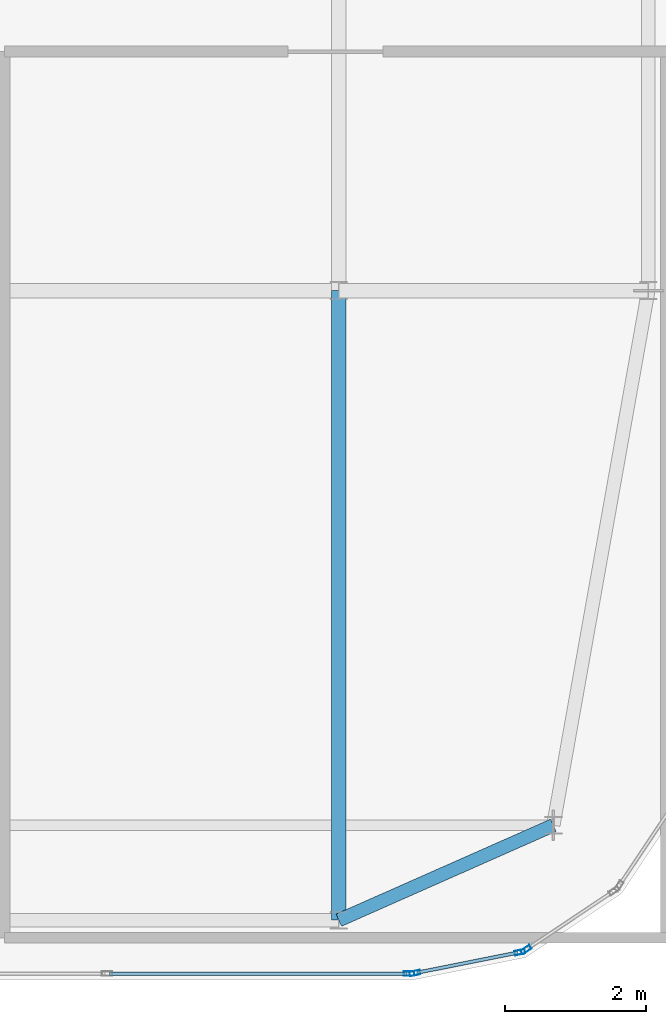
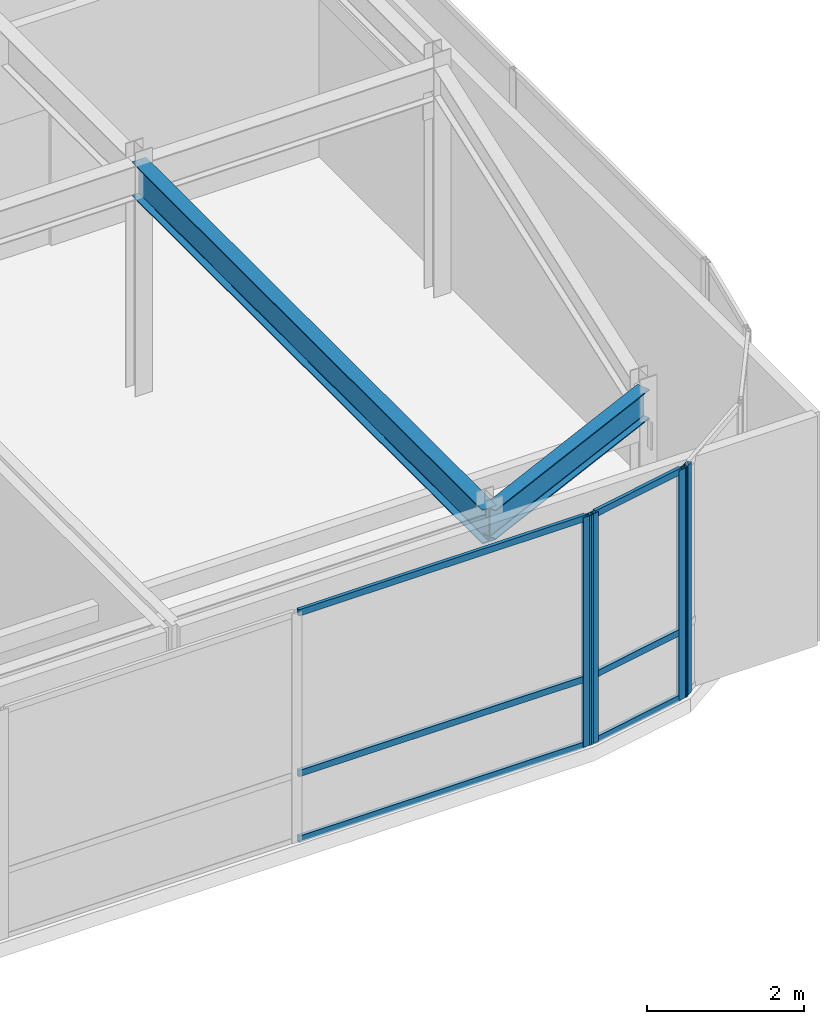
# One storey, part 14 of 36: 10 members, 2 beams, 3 elements without a shape of their own.
"""IFC4 building model written with IfcOpenShell, lengths in metres."""

from ifc_helpers import new_model, si_unit, direction, frame, origin, origin_2d, place, context, subcontext, project, spatial, hollow_rectangle, i_section, extrude, source, transform, mapped, material, layer, layer_set, material_profile, profile_set, type_object, type_shapes, element, aggregate, save


model = new_model("IFC4")

# Units and contexts
model_context = context("Model", 3, precision=1e-05, world=origin(), true_north=direction((0.0, 1.0)))
body_context = subcontext(model_context, "Body", "Model", "MODEL_VIEW")
ifc_project = project(units=[si_unit("LENGTHUNIT", "METRE"), si_unit("AREAUNIT", "SQUARE_METRE"), si_unit("VOLUMEUNIT", "CUBIC_METRE"), si_unit("PLANEANGLEUNIT", "RADIAN"), si_unit("MASSUNIT", "GRAM", prefix="KILO")], contexts=[model_context])

# Site, building, storey
site_placement = place(None, origin())
site = spatial("IfcSite", under=ifc_project, at=site_placement, CompositionType="ELEMENT")
building_placement = place(site_placement, origin())
building = spatial("IfcBuilding", under=site, at=building_placement, Name="Tolvann Quenvar Hotel", CompositionType="ELEMENT")
storey_placement = place(building_placement, frame((0.0, 0.0, 302.35009765625)))
storey = spatial("IfcBuildingStorey", under=building, at=storey_placement, Name="L80", CompositionType="ELEMENT", Elevation=302.35009765625)

# Beams
ifc_material_1 = material(Name="Steel Grade 350", Category="steel")
ifc_material_profile_1 = material_profile(ifc_material_1, i_section(OverallWidth=0.19091796875, OverallDepth=0.4599609375, WebThickness=0.010009765625, FlangeThickness=0.01611328125, FilletRadius=0.011474609375, at=origin_2d()), Name="460UB82")
ifc_profile_set_1 = profile_set([ifc_material_profile_1], Name="Steel Grade 350")
beam_type_1 = type_object("IfcBeamType", Name="BM_SPAND_460UB82", PredefinedType="SPANDREL", material=ifc_profile_set_1)
shared_shape_1 = source(origin(), body_context, "Body", "SweptSolid", [
    extrude(i_section(OverallWidth=0.19091796875, OverallDepth=0.4599609375, WebThickness=0.010009765625, FlangeThickness=0.01611328125, FilletRadius=0.011474609375, at=origin_2d()), origin(), (0.0, 0.0, 1.0), 3.33544921875),
])
type_shapes(beam_type_1, [shared_shape_1])
beam_1_placement = place(storey_placement, frame((32.75, 7.050048828125, 3.349853515625), z_axis=(0.914447312445, 0.404704970024, 0.0), x_axis=(-0.404704970024, 0.914447312445, 0.0)))
element("IfcBeam", 1, at=beam_1_placement, inside=storey, type_object=beam_type_1, Name="BM-L80-EW-2-FP2-G2", PredefinedType="SPANDREL", context=body_context, shape_type="MappedRepresentation", body=[
    mapped(shared_shape_1, transform((0.0, 0.0, 0.0), x_axis=(1.0, 0.0, 0.0), y_axis=(0.0, 1.0, 0.0), z_axis=(0.0, 0.0, 1.0), scale=1.0)),
])
ifc_material_profile_2 = material_profile(ifc_material_1, i_section(OverallWidth=0.208984375, OverallDepth=0.532958984375, WebThickness=0.01025390625, FlangeThickness=0.015625, FilletRadius=0.013916015625, at=origin_2d()), Name="530UB92")
ifc_profile_set_2 = profile_set([ifc_material_profile_2], Name="Steel Grade 350")
beam_type_2 = type_object("IfcBeamType", Name="BM_GIRD_530UB92", PredefinedType="BEAM", material=ifc_profile_set_2)
shared_shape_2 = source(origin(), body_context, "Body", "SweptSolid", [
    extrude(i_section(OverallWidth=0.208984375, OverallDepth=0.532958984375, WebThickness=0.01025390625, FlangeThickness=0.015625, FilletRadius=0.013916015625, at=origin_2d()), origin(), (0.0, 0.0, 1.0), 8.949951171875),
])
type_shapes(beam_type_2, [shared_shape_2])
beam_2_placement = place(storey_placement, frame((32.75, 7.050048828125, 3.3134765625), z_axis=(0.0, 1.0, 0.0), x_axis=(-1.0, 0.0, 0.0)))
element("IfcBeam", 2, at=beam_2_placement, inside=storey, type_object=beam_type_2, Name="BM-L80-NS-FP2-FP4", PredefinedType="BEAM", context=body_context, shape_type="MappedRepresentation", body=[
    mapped(shared_shape_2, transform((0.0, 0.0, 0.0), x_axis=(1.0, 0.0, 0.0), y_axis=(0.0, 1.0, 0.0), z_axis=(0.0, 0.0, 1.0), scale=1.0)),
])

# Curtain wall, members
ifc_material_2 = material(Name="Thermally broken anodised architectural aluminium 6063-T6 and laminated low-E glass", Category="aluminium")
ifc_layer = layer(ifc_material_2, 0.179931640625)
ifc_layer_set = layer_set([ifc_layer], Name="Thermally broken anodised architectural aluminium 6063-T6 and laminated low-E glass")
curtain_wall_type = type_object("IfcCurtainWallType", Name="CW_SYS_LANT_06", PredefinedType="USERDEFINED", material=ifc_layer_set)
curtain_wall_1_placement = place(storey_placement, origin())
curtain_wall_1 = element("IfcCurtainWall", 3, at=curtain_wall_1_placement, inside=storey, type_object=curtain_wall_type, Name="Curtain Wall CW-LANT-06 (CWR-L80-E05)", ObjectType="UNITISED CURTAIN WALL", PredefinedType="USERDEFINED")
ifc_material_3 = material(Name="Anodised architectural aluminium 6063-T6 framing", Category="aluminium")
ifc_material_profile_3 = material_profile(ifc_material_3, hollow_rectangle(XDim=0.050048828125, YDim=0.10009765625, WallThickness=0.0029296875, at=origin_2d()), Name="100x50x3RHS")
ifc_profile_set_3 = profile_set([ifc_material_profile_3], Name="Anodised architectural aluminium 6063-T6 framing")
member_type_1 = type_object("IfcMemberType", Name="CW_TRAN_100x50", PredefinedType="USERDEFINED", material=ifc_profile_set_3)
shared_shape_3 = source(origin(), body_context, "Body", "SweptSolid", [
    extrude(hollow_rectangle(XDim=0.050048828125, YDim=0.10009765625, WallThickness=0.0029296875, at=origin_2d()), origin(), (0.0, 0.0, 1.0), 1.456787109375),
])
member_1_placement = place(storey_placement, frame((33.863037109375, 6.30419921875, 0.02490234375), z_axis=(0.980786408364, 0.195084651288, 0.0), x_axis=(-0.195084651288, 0.980786408364, 0.0)))
member_1 = element("IfcMember", 4, at=member_1_placement, type_object=member_type_1, Name="CW-LANT-06 transom 1.1", ObjectType="TRANSOM", PredefinedType="USERDEFINED", context=body_context, shape_type="MappedRepresentation", body=[
    mapped(shared_shape_3, transform((0.0, 0.0, 0.0), x_axis=(1.0, 0.0, 0.0), y_axis=(0.0, 1.0, 0.0), z_axis=(0.0, 0.0, 1.0), scale=1.0)),
])
member_2_placement = place(storey_placement, frame((33.863037109375, 6.30419921875, 1.0498046875), z_axis=(0.980786408364, 0.195084651288, 0.0), x_axis=(-0.195084651288, 0.980786408364, 0.0)))
member_2 = element("IfcMember", 5, at=member_2_placement, type_object=member_type_1, Name="CW-LANT-06 transom 1.2", ObjectType="TRANSOM", PredefinedType="USERDEFINED", context=body_context, shape_type="MappedRepresentation", body=[
    mapped(shared_shape_3, transform((0.0, 0.0, 0.0), x_axis=(1.0, 0.0, 0.0), y_axis=(0.0, 1.0, 0.0), z_axis=(0.0, 0.0, 1.0), scale=1.0)),
])
member_3_placement = place(storey_placement, frame((33.863037109375, 6.30419921875, 3.554931640625), z_axis=(0.980786408364, 0.195084651288, 0.0), x_axis=(-0.195084651288, 0.980786408364, 0.0)))
member_3 = element("IfcMember", 6, at=member_3_placement, type_object=member_type_1, Name="CW-LANT-06 transom 1.3", ObjectType="TRANSOM", PredefinedType="USERDEFINED", context=body_context, shape_type="MappedRepresentation", body=[
    mapped(shared_shape_3, transform((0.0, 0.0, 0.0), x_axis=(1.0, 0.0, 0.0), y_axis=(0.0, 1.0, 0.0), z_axis=(0.0, 0.0, 1.0), scale=1.0)),
])

curtain_wall_2_placement = place(storey_placement, origin())
curtain_wall_2 = element("IfcCurtainWall", 7, at=curtain_wall_2_placement, inside=storey, type_object=curtain_wall_type, Name="Curtain Wall CW-LANT-06 (CWR-L80-E04)", ObjectType="UNITISED CURTAIN WALL", PredefinedType="USERDEFINED")
shared_shape_4 = source(origin(), body_context, "Body", "SweptSolid", [
    extrude(hollow_rectangle(XDim=0.050048828125, YDim=0.10009765625, WallThickness=0.0029296875, at=origin_2d()), origin(), (0.0, 0.0, 1.0), 4.22998046875),
])
type_shapes(member_type_1, [shared_shape_3, shared_shape_4])
member_4_placement = place(storey_placement, frame((29.48779296875, 6.2900390625, 0.02490234375), z_axis=(1.0, 0.0, 0.0), x_axis=(0.0, 1.0, 0.0)))
member_4 = element("IfcMember", 8, at=member_4_placement, type_object=member_type_1, Name="CW-LANT-06 transom 6.1", ObjectType="TRANSOM", PredefinedType="USERDEFINED", context=body_context, shape_type="MappedRepresentation", body=[
    mapped(shared_shape_4, transform((0.0, 0.0, 0.0), x_axis=(1.0, 0.0, 0.0), y_axis=(0.0, 1.0, 0.0), z_axis=(0.0, 0.0, 1.0), scale=1.0)),
])
member_5_placement = place(storey_placement, frame((29.48779296875, 6.2900390625, 1.0498046875), z_axis=(1.0, 0.0, 0.0), x_axis=(0.0, 1.0, 0.0)))
member_5 = element("IfcMember", 9, at=member_5_placement, type_object=member_type_1, Name="CW-LANT-06 transom 6.2", ObjectType="TRANSOM", PredefinedType="USERDEFINED", context=body_context, shape_type="MappedRepresentation", body=[
    mapped(shared_shape_4, transform((0.0, 0.0, 0.0), x_axis=(1.0, 0.0, 0.0), y_axis=(0.0, 1.0, 0.0), z_axis=(0.0, 0.0, 1.0), scale=1.0)),
])
member_6_placement = place(storey_placement, frame((29.48779296875, 6.2900390625, 3.554931640625), z_axis=(1.0, 0.0, 0.0), x_axis=(0.0, 1.0, 0.0)))
member_6 = element("IfcMember", 10, at=member_6_placement, type_object=member_type_1, Name="CW-LANT-06 transom 6.3", ObjectType="TRANSOM", PredefinedType="USERDEFINED", context=body_context, shape_type="MappedRepresentation", body=[
    mapped(shared_shape_4, transform((0.0, 0.0, 0.0), x_axis=(1.0, 0.0, 0.0), y_axis=(0.0, 1.0, 0.0), z_axis=(0.0, 0.0, 1.0), scale=1.0)),
])
ifc_material_profile_4 = material_profile(ifc_material_3, hollow_rectangle(XDim=0.06494140625, YDim=0.14990234375, WallThickness=0.00390625, at=origin_2d()), Name="150x65x4RHS")
ifc_profile_set_4 = profile_set([ifc_material_profile_4], Name="Anodised architectural aluminium 6063-T6 framing")
member_type_2 = type_object("IfcMemberType", Name="CW_MULL_150x65", PredefinedType="MULLION", material=ifc_profile_set_4)
shared_shape_5 = source(origin(), body_context, "Body", "SweptSolid", [
    extrude(hollow_rectangle(XDim=0.06494140625, YDim=0.14990234375, WallThickness=0.00390625, at=origin_2d()), origin(), (0.0, 0.0, 1.0), 3.579833984375),
])
type_shapes(member_type_2, [shared_shape_5])
member_7_placement = place(storey_placement, frame((33.750244140625, 6.2900390625, 0.0), z_axis=(0.0, 0.0, 1.0), x_axis=(0.0, 1.0, 0.0)))
member_7 = element("IfcMember", 11, at=member_7_placement, type_object=member_type_2, Name="CW-LANT-06 mullion 7", PredefinedType="MULLION", context=body_context, shape_type="MappedRepresentation", body=[
    mapped(shared_shape_5, transform((0.0, 0.0, 0.0), x_axis=(1.0, 0.0, 0.0), y_axis=(0.0, 1.0, 0.0), z_axis=(0.0, 0.0, 1.0), scale=1.0)),
])
aggregate(curtain_wall_2, [member_7, member_4, member_5, member_6])

# Member
member_8_placement = place(storey_placement, frame((33.831298828125, 6.2978515625, 0.0), z_axis=(0.0, 0.0, 1.0), x_axis=(-0.195061569369, 0.980790999222, 0.0)))
member_8 = element("IfcMember", 12, at=member_8_placement, type_object=member_type_2, Name="CW-LANT-06 mullion 1", PredefinedType="MULLION", context=body_context, shape_type="MappedRepresentation", body=[
    mapped(shared_shape_5, transform((0.0, 0.0, 0.0), x_axis=(1.0, 0.0, 0.0), y_axis=(0.0, 1.0, 0.0), z_axis=(0.0, 0.0, 1.0), scale=1.0)),
])

member_9_placement = place(storey_placement, frame((35.32373046875, 6.5947265625, 0.0), z_axis=(0.0, 0.0, 1.0), x_axis=(-0.195061569369, 0.980790999222, 0.0)))
member_9 = element("IfcMember", 13, at=member_9_placement, type_object=member_type_2, Name="CW-LANT-06 mullion 2", PredefinedType="MULLION", context=body_context, shape_type="MappedRepresentation", body=[
    mapped(shared_shape_5, transform((0.0, 0.0, 0.0), x_axis=(1.0, 0.0, 0.0), y_axis=(0.0, 1.0, 0.0), z_axis=(0.0, 0.0, 1.0), scale=1.0)),
])

aggregate(curtain_wall_1, [member_8, member_9, member_1, member_2, member_3])

# Curtain wall, member
curtain_wall_3_placement = place(storey_placement, origin())
curtain_wall_3 = element("IfcCurtainWall", 14, at=curtain_wall_3_placement, inside=storey, type_object=curtain_wall_type, Name="Curtain Wall CW-LANT-06 (CWR-L80-E06)", ObjectType="UNITISED CURTAIN WALL", PredefinedType="USERDEFINED")
member_10_placement = place(storey_placement, frame((35.413330078125, 6.6318359375, 0.0), z_axis=(0.0, 0.0, 1.0), x_axis=(-0.555655769644, 0.831412452193, 0.0)))
member_10 = element("IfcMember", 15, at=member_10_placement, type_object=member_type_2, Name="CW-LANT-06 mullion 1", PredefinedType="MULLION", context=body_context, shape_type="MappedRepresentation", body=[
    mapped(shared_shape_5, transform((0.0, 0.0, 0.0), x_axis=(1.0, 0.0, 0.0), y_axis=(0.0, 1.0, 0.0), z_axis=(0.0, 0.0, 1.0), scale=1.0)),
])
aggregate(curtain_wall_3, [member_10])

save(model, "model.ifc")
